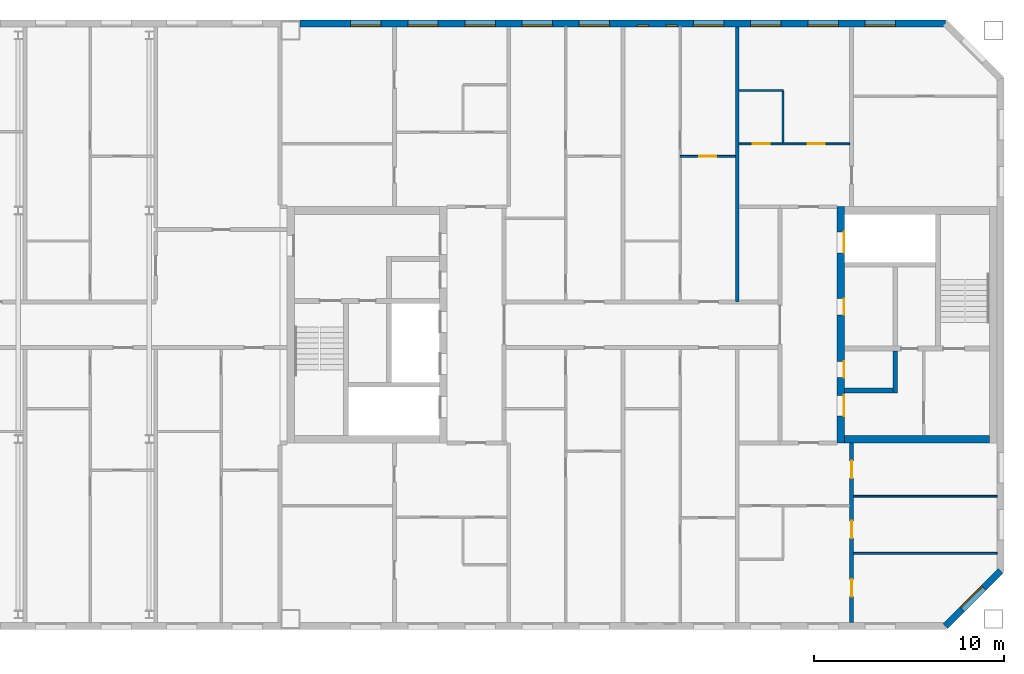
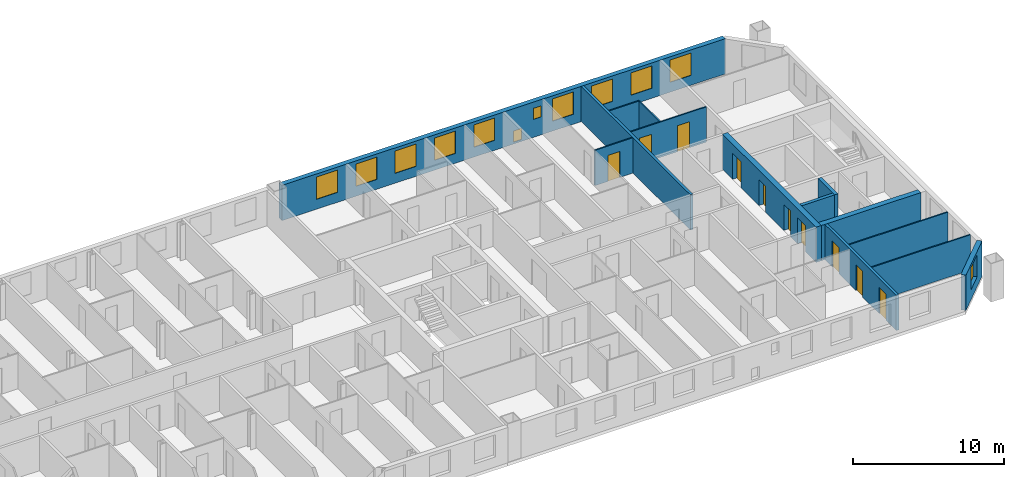
# One storey, part 16 of 19: 14 walls, 12 windows, 10 doors, 22 openings.
"""IFC4 building model written with IfcOpenShell, lengths in metres."""

from ifc_helpers import new_model, si_unit, direction, frame, frame_2d, origin, place, context, subcontext, project, spatial, rectangle, extrude, material, layer, layer_set, type_object, element, fill, save


model = new_model("IFC4")

# Units and contexts
model_context = context("Model", 3, precision=1e-05, world=origin(), true_north=direction((0.0, 1.0)))
body_context = subcontext(model_context, "Body", "Model", "MODEL_VIEW")
ifc_project = project(units=[si_unit("LENGTHUNIT", "METRE"), si_unit("AREAUNIT", "SQUARE_METRE"), si_unit("VOLUMEUNIT", "CUBIC_METRE"), si_unit("PLANEANGLEUNIT", "RADIAN"), si_unit("MASSUNIT", "GRAM", prefix="KILO")], contexts=[model_context])

# Site, building, storey
site_placement = place(None, origin())
site = spatial("IfcSite", under=ifc_project, at=site_placement, CompositionType="ELEMENT")
building_placement = place(site_placement, origin())
building = spatial("IfcBuilding", under=site, at=building_placement, Name="Tuart Gate Housing", CompositionType="ELEMENT")
storey_placement = place(building_placement, frame((0.0, 0.0, 233.800048828125)))
storey = spatial("IfcBuildingStorey", under=building, at=storey_placement, Name="L66", CompositionType="ELEMENT", Elevation=233.800048828125)

# Wall, opening, window
ifc_material_1 = material(Name="Brick", Category="masonry")
ifc_layer_1 = layer(ifc_material_1, 0.360107421875)
ifc_layer_set_1 = layer_set([ifc_layer_1], Name="Brick pier and spandrel wall 360")
wall_type_1 = type_object("IfcWallType", Name="Brick pier and spandrel wall 360", PredefinedType="STANDARD", material=ifc_layer_set_1)
wall_1_placement = place(storey_placement, frame((165.92529296875, 54.179931640625, 0.0), z_axis=(0.0, 0.0, 1.0), x_axis=(0.707106781187, 0.707106781187, 0.0)))
wall_1 = element("IfcWall", 1, at=wall_1_placement, inside=storey, type_object=wall_type_1, Name="External wall BLK-SE L66", PredefinedType="STANDARD", context=body_context, shape_type="SweptSolid", body=[
    extrude(rectangle(XDim=4.09375, YDim=0.360107421875, at=frame_2d((2.046875, 0.0))), origin(), (0.0, 0.0, 1.0), 2.849853515625),
])
opening_1_placement = place(wall_1_placement, frame((1.2470703125, 0.0, 0.800048828125)))
opening_1 = element("IfcOpeningElement", 2, at=opening_1_placement, cuts=wall_1, Name="Opening W1", PredefinedType="OPENING", context=body_context, shape_type="SweptSolid", body=[
    extrude(rectangle(XDim=1.60009765625, YDim=1.800048828125, at=frame_2d((0.800048828125, 0.89990234375))), frame((0.0, 0.18994140625, 0.0), z_axis=(0.0, -1.0, 0.0), x_axis=(1.0, 0.0, 0.0)), (0.0, 0.0, 1.0), 0.380126953125),
])
ifc_material_2 = material(Name="Aluminium frame with clear glass", Category="aluminium")
window_type_1 = type_object("IfcWindowType", Name="Punched window 1600 x 1800", PartitioningType="SINGLE_PANEL", PredefinedType="WINDOW", material=ifc_material_2)
window_1_placement = place(opening_1_placement, origin())
window_1 = element("IfcWindow", 3, at=window_1_placement, inside=storey, type_object=window_type_1, Name="Window W1", OverallHeight=1.800048828125, OverallWidth=1.60009765625, PartitioningType="SINGLE_PANEL", PredefinedType="WINDOW", context=body_context, shape_type="SweptSolid", body=[
    extrude(rectangle(XDim=1.60009765625, YDim=1.800048828125, at=frame_2d((0.800048828125, 0.89990234375))), frame((0.0, 0.150146484375, 0.0), z_axis=(0.0, -1.0, 0.0), x_axis=(1.0, 0.0, 0.0)), (0.0, 0.0, 1.0), 0.06005859375),
])
fill(opening_1, window_1)

# Wall, openings, windows
wall_2_placement = place(storey_placement, frame((165.92529296875, 85.820068359375, 0.0), z_axis=(0.0, 0.0, 1.0), x_axis=(-1.0, 0.0, 0.0)))
wall_2 = element("IfcWall", 4, at=wall_2_placement, inside=storey, type_object=wall_type_1, Name="External wall BLK-N L66", PredefinedType="STANDARD", context=body_context, shape_type="SweptSolid", body=[
    extrude(rectangle(XDim=33.875244140625, YDim=0.360107421875, at=frame_2d((16.9375, 0.0))), origin(), (0.0, 0.0, 1.0), 2.849853515625),
])
opening_2_placement = place(wall_2_placement, frame((2.62548828125, 0.0, 0.800048828125)))
opening_2 = element("IfcOpeningElement", 5, at=opening_2_placement, cuts=wall_2, Name="Opening W1", PredefinedType="OPENING", context=body_context, shape_type="SweptSolid", body=[
    extrude(rectangle(XDim=1.60009765625, YDim=1.800048828125, at=frame_2d((0.800048828125, 0.89990234375))), frame((0.0, 0.18994140625, 0.0), z_axis=(0.0, -1.0, 0.0), x_axis=(1.0, 0.0, 0.0)), (0.0, 0.0, 1.0), 0.380126953125),
])
opening_3_placement = place(wall_2_placement, frame((5.62548828125, 0.0, 0.800048828125)))
opening_3 = element("IfcOpeningElement", 6, at=opening_3_placement, cuts=wall_2, Name="Opening W1", PredefinedType="OPENING", context=body_context, shape_type="SweptSolid", body=[
    extrude(rectangle(XDim=1.60009765625, YDim=1.800048828125, at=frame_2d((0.800048828125, 0.89990234375))), frame((0.0, 0.18994140625, 0.0), z_axis=(0.0, -1.0, 0.0), x_axis=(1.0, 0.0, 0.0)), (0.0, 0.0, 1.0), 0.380126953125),
])
opening_4_placement = place(wall_2_placement, frame((8.62548828125, 0.0, 0.800048828125)))
opening_4 = element("IfcOpeningElement", 7, at=opening_4_placement, cuts=wall_2, Name="Opening W1", PredefinedType="OPENING", context=body_context, shape_type="SweptSolid", body=[
    extrude(rectangle(XDim=1.60009765625, YDim=1.800048828125, at=frame_2d((0.800048828125, 0.89990234375))), frame((0.0, 0.18994140625, 0.0), z_axis=(0.0, -1.0, 0.0), x_axis=(1.0, 0.0, 0.0)), (0.0, 0.0, 1.0), 0.380126953125),
])
opening_5_placement = place(wall_2_placement, frame((11.62548828125, 0.0, 0.800048828125)))
opening_5 = element("IfcOpeningElement", 8, at=opening_5_placement, cuts=wall_2, Name="Opening W1", PredefinedType="OPENING", context=body_context, shape_type="SweptSolid", body=[
    extrude(rectangle(XDim=1.60009765625, YDim=1.800048828125, at=frame_2d((0.800048828125, 0.89990234375))), frame((0.0, 0.18994140625, 0.0), z_axis=(0.0, -1.0, 0.0), x_axis=(1.0, 0.0, 0.0)), (0.0, 0.0, 1.0), 0.380126953125),
])
opening_6_placement = place(wall_2_placement, frame((14.075439453125, 0.0, 1.449951171875)))
opening_6 = element("IfcOpeningElement", 9, at=opening_6_placement, cuts=wall_2, Name="Opening W1W", PredefinedType="OPENING", context=body_context, shape_type="SweptSolid", body=[
    extrude(rectangle(XDim=0.60009765625, YDim=0.89990234375, at=frame_2d((0.300048828125, 0.449951171875))), frame((0.0, 0.18994140625, 0.0), z_axis=(0.0, -1.0, 0.0), x_axis=(1.0, 0.0, 0.0)), (0.0, 0.0, 1.0), 0.380126953125),
])
opening_7_placement = place(wall_2_placement, frame((17.62548828125, 0.0, 0.800048828125)))
opening_7 = element("IfcOpeningElement", 10, at=opening_7_placement, cuts=wall_2, Name="Opening W1", PredefinedType="OPENING", context=body_context, shape_type="SweptSolid", body=[
    extrude(rectangle(XDim=1.60009765625, YDim=1.800048828125, at=frame_2d((0.800048828125, 0.89990234375))), frame((0.0, 0.18994140625, 0.0), z_axis=(0.0, -1.0, 0.0), x_axis=(1.0, 0.0, 0.0)), (0.0, 0.0, 1.0), 0.380126953125),
])
opening_8_placement = place(wall_2_placement, frame((20.62548828125, 0.0, 0.800048828125)))
opening_8 = element("IfcOpeningElement", 11, at=opening_8_placement, cuts=wall_2, Name="Opening W1", PredefinedType="OPENING", context=body_context, shape_type="SweptSolid", body=[
    extrude(rectangle(XDim=1.60009765625, YDim=1.800048828125, at=frame_2d((0.800048828125, 0.89990234375))), frame((0.0, 0.18994140625, 0.0), z_axis=(0.0, -1.0, 0.0), x_axis=(1.0, 0.0, 0.0)), (0.0, 0.0, 1.0), 0.380126953125),
])
opening_9_placement = place(wall_2_placement, frame((23.62548828125, 0.0, 0.800048828125)))
opening_9 = element("IfcOpeningElement", 12, at=opening_9_placement, cuts=wall_2, Name="Opening W1", PredefinedType="OPENING", context=body_context, shape_type="SweptSolid", body=[
    extrude(rectangle(XDim=1.60009765625, YDim=1.800048828125, at=frame_2d((0.800048828125, 0.89990234375))), frame((0.0, 0.18994140625, 0.0), z_axis=(0.0, -1.0, 0.0), x_axis=(1.0, 0.0, 0.0)), (0.0, 0.0, 1.0), 0.380126953125),
])
opening_10_placement = place(wall_2_placement, frame((26.62548828125, 0.0, 0.800048828125)))
opening_10 = element("IfcOpeningElement", 13, at=opening_10_placement, cuts=wall_2, Name="Opening W1", PredefinedType="OPENING", context=body_context, shape_type="SweptSolid", body=[
    extrude(rectangle(XDim=1.60009765625, YDim=1.800048828125, at=frame_2d((0.800048828125, 0.89990234375))), frame((0.0, 0.18994140625, 0.0), z_axis=(0.0, -1.0, 0.0), x_axis=(1.0, 0.0, 0.0)), (0.0, 0.0, 1.0), 0.380126953125),
])
opening_11_placement = place(wall_2_placement, frame((29.62548828125, 0.0, 0.800048828125)))
opening_11 = element("IfcOpeningElement", 14, at=opening_11_placement, cuts=wall_2, Name="Opening W1", PredefinedType="OPENING", context=body_context, shape_type="SweptSolid", body=[
    extrude(rectangle(XDim=1.60009765625, YDim=1.800048828125, at=frame_2d((0.800048828125, 0.89990234375))), frame((0.0, 0.18994140625, 0.0), z_axis=(0.0, -1.0, 0.0), x_axis=(1.0, 0.0, 0.0)), (0.0, 0.0, 1.0), 0.380126953125),
])
opening_12_placement = place(wall_2_placement, frame((15.575439453125, 0.0, 0.14990234375)))
opening_12 = element("IfcOpeningElement", 15, at=opening_12_placement, cuts=wall_2, Name="Opening W1W", PredefinedType="OPENING", context=body_context, shape_type="SweptSolid", body=[
    extrude(rectangle(XDim=0.60009765625, YDim=0.89990234375, at=frame_2d((0.300048828125, 0.449951171875))), frame((0.0, 0.18994140625, 0.0), z_axis=(0.0, -1.0, 0.0), x_axis=(1.0, 0.0, 0.0)), (0.0, 0.0, 1.0), 0.380126953125),
])
window_2_placement = place(opening_2_placement, origin())
window_2 = element("IfcWindow", 16, at=window_2_placement, inside=storey, type_object=window_type_1, Name="Window W1", OverallHeight=1.800048828125, OverallWidth=1.60009765625, PartitioningType="SINGLE_PANEL", PredefinedType="WINDOW", context=body_context, shape_type="SweptSolid", body=[
    extrude(rectangle(XDim=1.60009765625, YDim=1.800048828125, at=frame_2d((0.800048828125, 0.89990234375))), frame((0.0, 0.150146484375, 0.0), z_axis=(0.0, -1.0, 0.0), x_axis=(1.0, 0.0, 0.0)), (0.0, 0.0, 1.0), 0.06005859375),
])
fill(opening_2, window_2)
window_3_placement = place(opening_3_placement, origin())
window_3 = element("IfcWindow", 17, at=window_3_placement, inside=storey, type_object=window_type_1, Name="Window W1", OverallHeight=1.800048828125, OverallWidth=1.60009765625, PartitioningType="SINGLE_PANEL", PredefinedType="WINDOW", context=body_context, shape_type="SweptSolid", body=[
    extrude(rectangle(XDim=1.60009765625, YDim=1.800048828125, at=frame_2d((0.800048828125, 0.89990234375))), frame((0.0, 0.150146484375, 0.0), z_axis=(0.0, -1.0, 0.0), x_axis=(1.0, 0.0, 0.0)), (0.0, 0.0, 1.0), 0.06005859375),
])
fill(opening_3, window_3)
window_4_placement = place(opening_4_placement, origin())
window_4 = element("IfcWindow", 18, at=window_4_placement, inside=storey, type_object=window_type_1, Name="Window W1", OverallHeight=1.800048828125, OverallWidth=1.60009765625, PartitioningType="SINGLE_PANEL", PredefinedType="WINDOW", context=body_context, shape_type="SweptSolid", body=[
    extrude(rectangle(XDim=1.60009765625, YDim=1.800048828125, at=frame_2d((0.800048828125, 0.89990234375))), frame((0.0, 0.150146484375, 0.0), z_axis=(0.0, -1.0, 0.0), x_axis=(1.0, 0.0, 0.0)), (0.0, 0.0, 1.0), 0.06005859375),
])
fill(opening_4, window_4)
window_5_placement = place(opening_5_placement, origin())
window_5 = element("IfcWindow", 19, at=window_5_placement, inside=storey, type_object=window_type_1, Name="Window W1", OverallHeight=1.800048828125, OverallWidth=1.60009765625, PartitioningType="SINGLE_PANEL", PredefinedType="WINDOW", context=body_context, shape_type="SweptSolid", body=[
    extrude(rectangle(XDim=1.60009765625, YDim=1.800048828125, at=frame_2d((0.800048828125, 0.89990234375))), frame((0.0, 0.150146484375, 0.0), z_axis=(0.0, -1.0, 0.0), x_axis=(1.0, 0.0, 0.0)), (0.0, 0.0, 1.0), 0.06005859375),
])
fill(opening_5, window_5)
window_6_placement = place(opening_7_placement, origin())
window_6 = element("IfcWindow", 20, at=window_6_placement, inside=storey, type_object=window_type_1, Name="Window W1", OverallHeight=1.800048828125, OverallWidth=1.60009765625, PartitioningType="SINGLE_PANEL", PredefinedType="WINDOW", context=body_context, shape_type="SweptSolid", body=[
    extrude(rectangle(XDim=1.60009765625, YDim=1.800048828125, at=frame_2d((0.800048828125, 0.89990234375))), frame((0.0, 0.150146484375, 0.0), z_axis=(0.0, -1.0, 0.0), x_axis=(1.0, 0.0, 0.0)), (0.0, 0.0, 1.0), 0.06005859375),
])
fill(opening_7, window_6)
window_7_placement = place(opening_8_placement, origin())
window_7 = element("IfcWindow", 21, at=window_7_placement, inside=storey, type_object=window_type_1, Name="Window W1", OverallHeight=1.800048828125, OverallWidth=1.60009765625, PartitioningType="SINGLE_PANEL", PredefinedType="WINDOW", context=body_context, shape_type="SweptSolid", body=[
    extrude(rectangle(XDim=1.60009765625, YDim=1.800048828125, at=frame_2d((0.800048828125, 0.89990234375))), frame((0.0, 0.150146484375, 0.0), z_axis=(0.0, -1.0, 0.0), x_axis=(1.0, 0.0, 0.0)), (0.0, 0.0, 1.0), 0.06005859375),
])
fill(opening_8, window_7)
window_8_placement = place(opening_9_placement, origin())
window_8 = element("IfcWindow", 22, at=window_8_placement, inside=storey, type_object=window_type_1, Name="Window W1", OverallHeight=1.800048828125, OverallWidth=1.60009765625, PartitioningType="SINGLE_PANEL", PredefinedType="WINDOW", context=body_context, shape_type="SweptSolid", body=[
    extrude(rectangle(XDim=1.60009765625, YDim=1.800048828125, at=frame_2d((0.800048828125, 0.89990234375))), frame((0.0, 0.150146484375, 0.0), z_axis=(0.0, -1.0, 0.0), x_axis=(1.0, 0.0, 0.0)), (0.0, 0.0, 1.0), 0.06005859375),
])
fill(opening_9, window_8)
window_9_placement = place(opening_10_placement, origin())
window_9 = element("IfcWindow", 23, at=window_9_placement, inside=storey, type_object=window_type_1, Name="Window W1", OverallHeight=1.800048828125, OverallWidth=1.60009765625, PartitioningType="SINGLE_PANEL", PredefinedType="WINDOW", context=body_context, shape_type="SweptSolid", body=[
    extrude(rectangle(XDim=1.60009765625, YDim=1.800048828125, at=frame_2d((0.800048828125, 0.89990234375))), frame((0.0, 0.150146484375, 0.0), z_axis=(0.0, -1.0, 0.0), x_axis=(1.0, 0.0, 0.0)), (0.0, 0.0, 1.0), 0.06005859375),
])
fill(opening_10, window_9)
window_10_placement = place(opening_11_placement, origin())
window_10 = element("IfcWindow", 24, at=window_10_placement, inside=storey, type_object=window_type_1, Name="Window W1", OverallHeight=1.800048828125, OverallWidth=1.60009765625, PartitioningType="SINGLE_PANEL", PredefinedType="WINDOW", context=body_context, shape_type="SweptSolid", body=[
    extrude(rectangle(XDim=1.60009765625, YDim=1.800048828125, at=frame_2d((0.800048828125, 0.89990234375))), frame((0.0, 0.150146484375, 0.0), z_axis=(0.0, -1.0, 0.0), x_axis=(1.0, 0.0, 0.0)), (0.0, 0.0, 1.0), 0.06005859375),
])
fill(opening_11, window_10)
ifc_material_3 = material(Name="Aluminium frame with clear glass", Category="aluminium")
window_type_2 = type_object("IfcWindowType", Name="Punched window 600 x 900", PartitioningType="SINGLE_PANEL", PredefinedType="WINDOW", material=ifc_material_3)
window_11_placement = place(opening_6_placement, origin())
window_11 = element("IfcWindow", 25, at=window_11_placement, inside=storey, type_object=window_type_2, Name="Window W1W", OverallHeight=0.89990234375, OverallWidth=0.60009765625, PartitioningType="SINGLE_PANEL", PredefinedType="WINDOW", context=body_context, shape_type="SweptSolid", body=[
    extrude(rectangle(XDim=0.60009765625, YDim=0.89990234375, at=frame_2d((0.300048828125, 0.449951171875))), frame((0.0, 0.150146484375, 0.0), z_axis=(0.0, -1.0, 0.0), x_axis=(1.0, 0.0, 0.0)), (0.0, 0.0, 1.0), 0.06005859375),
])
fill(opening_6, window_11)
window_12_placement = place(opening_12_placement, origin())
window_12 = element("IfcWindow", 26, at=window_12_placement, inside=storey, type_object=window_type_2, Name="Window W1W", OverallHeight=0.89990234375, OverallWidth=0.60009765625, PartitioningType="SINGLE_PANEL", PredefinedType="WINDOW", context=body_context, shape_type="SweptSolid", body=[
    extrude(rectangle(XDim=0.60009765625, YDim=0.89990234375, at=frame_2d((0.300048828125, 0.449951171875))), frame((0.0, 0.150146484375, 0.0), z_axis=(0.0, -1.0, 0.0), x_axis=(1.0, 0.0, 0.0)), (0.0, 0.0, 1.0), 0.06005859375),
])
fill(opening_12, window_12)

# Walls
ifc_material_4 = material(Name="Concrete C40", Category="concrete")
ifc_layer_2 = layer(ifc_material_4, 0.25)
ifc_layer_set_2 = layer_set([ifc_layer_2], Name="Core wall 250 C40")
wall_type_2 = type_object("IfcWallType", Name="Core wall 250 C40", PredefinedType="SHEAR", material=ifc_layer_set_2)
wall_3_placement = place(storey_placement, frame((160.639892578125, 66.550048828125, 0.0), z_axis=(0.0, 0.0, 1.0), x_axis=(1.0, 0.0, 0.0)))
element("IfcWall", 27, at=wall_3_placement, inside=storey, type_object=wall_type_2, Name="Core wall BK.3", PredefinedType="SHEAR", context=body_context, shape_type="SweptSolid", body=[
    extrude(rectangle(XDim=2.525146484375, YDim=0.25, at=frame_2d((1.2626953125, 0.0))), origin(), (0.0, 0.0, 1.0), 2.849853515625),
])
wall_4_placement = place(storey_placement, frame((163.2900390625, 68.625, 0.0), z_axis=(0.0, 0.0, 1.0), x_axis=(0.0, -1.0, 0.0)))
element("IfcWall", 28, at=wall_4_placement, inside=storey, type_object=wall_type_2, Name="Core wall BK.5", PredefinedType="SHEAR", context=body_context, shape_type="SweptSolid", body=[
    extrude(rectangle(XDim=2.199951171875, YDim=0.25, at=frame_2d((1.10009765625, 0.0))), origin(), (0.0, 0.0, 1.0), 2.849853515625),
])

# Wall, openings, doors
ifc_material_5 = material(Name="Concrete C40", Category="concrete")
ifc_layer_3 = layer(ifc_material_5, 0.39990234375)
ifc_layer_set_3 = layer_set([ifc_layer_3], Name="Core wall 400 C40")
wall_type_3 = type_object("IfcWallType", Name="Core wall 400 C40", PredefinedType="SHEAR", material=ifc_layer_set_3)
wall_5_placement = place(storey_placement, frame((160.43994140625, 76.199951171875, 0.0), z_axis=(0.0, 0.0, 1.0), x_axis=(0.0, -1.0, 0.0)))
wall_5 = element("IfcWall", 29, at=wall_5_placement, inside=storey, type_object=wall_type_3, Name="Core wall BK front", PredefinedType="SHEAR", context=body_context, shape_type="SweptSolid", body=[
    extrude(rectangle(XDim=12.39990234375, YDim=0.39990234375, at=frame_2d((6.199951171875, 0.0))), origin(), (0.0, 0.0, 1.0), 2.849853515625),
])
opening_13_placement = place(wall_5_placement, frame((1.324951171875, 0.0, 0.0)))
opening_13 = element("IfcOpeningElement", 30, at=opening_13_placement, cuts=wall_5, Name="Opening LD-FB2", PredefinedType="OPENING", context=body_context, shape_type="SweptSolid", body=[
    extrude(rectangle(XDim=1.10009765625, YDim=2.10009765625, at=frame_2d((0.550048828125, 1.050048828125))), frame((0.0, 0.2099609375, 0.0), z_axis=(0.0, -1.0, 0.0), x_axis=(1.0, 0.0, 0.0)), (0.0, 0.0, 1.0), 0.419921875),
])
opening_14_placement = place(wall_5_placement, frame((4.824951171875, 0.0, 0.0)))
opening_14 = element("IfcOpeningElement", 31, at=opening_14_placement, cuts=wall_5, Name="Opening D2583", PredefinedType="OPENING", context=body_context, shape_type="SweptSolid", body=[
    extrude(rectangle(XDim=0.85009765625, YDim=2.10009765625, at=frame_2d((0.425048828125, 1.050048828125))), frame((0.0, 0.2099609375, 0.0), z_axis=(0.0, -1.0, 0.0), x_axis=(1.0, 0.0, 0.0)), (0.0, 0.0, 1.0), 0.419921875),
])
opening_15_placement = place(wall_5_placement, frame((9.89990234375, 0.0, 0.0)))
opening_15 = element("IfcOpeningElement", 32, at=opening_15_placement, cuts=wall_5, Name="Opening D2582", PredefinedType="OPENING", context=body_context, shape_type="SweptSolid", body=[
    extrude(rectangle(XDim=1.10009765625, YDim=2.10009765625, at=frame_2d((0.550048828125, 1.050048828125))), frame((0.0, 0.2099609375, 0.0), z_axis=(0.0, -1.0, 0.0), x_axis=(1.0, 0.0, 0.0)), (0.0, 0.0, 1.0), 0.419921875),
])
opening_16_placement = place(wall_5_placement, frame((8.125, 0.0, 0.0)))
opening_16 = element("IfcOpeningElement", 33, at=opening_16_placement, cuts=wall_5, Name="Opening D2584", PredefinedType="OPENING", context=body_context, shape_type="SweptSolid", body=[
    extrude(rectangle(XDim=0.85009765625, YDim=2.10009765625, at=frame_2d((0.425048828125, 1.050048828125))), frame((0.0, 0.2099609375, 0.0), z_axis=(0.0, -1.0, 0.0), x_axis=(1.0, 0.0, 0.0)), (0.0, 0.0, 1.0), 0.419921875),
])
ifc_material_6 = material(Name="Stainless steel", Category="steel")
door_type_1 = type_object("IfcDoorType", Name="Landing door 1100 x 2100", OperationType="DOUBLE_DOOR_SLIDING", PredefinedType="DOOR", material=ifc_material_6)
door_1_placement = place(opening_13_placement, origin())
door_1 = element("IfcDoor", 34, at=door_1_placement, inside=storey, type_object=door_type_1, Name="Lift landing door FB2", OperationType="DOUBLE_DOOR_SLIDING", OverallHeight=2.10009765625, OverallWidth=1.10009765625, PredefinedType="DOOR", context=body_context, shape_type="SweptSolid", body=[
    extrude(rectangle(XDim=1.10009765625, YDim=2.10009765625, at=frame_2d((0.550048828125, 1.050048828125))), frame((0.0, 0.18505859375, 0.0), z_axis=(0.0, -1.0, 0.0), x_axis=(1.0, 0.0, 0.0)), (0.0, 0.0, 1.0), 0.050048828125),
])
fill(opening_13, door_1)
ifc_material_7 = material(Name="Steel fire door", Category="steel")
door_type_2 = type_object("IfcDoorType", Name="Lobby door 1100 x 2100", OperationType="SINGLE_SWING_LEFT", PredefinedType="DOOR", material=ifc_material_7)
door_2_placement = place(opening_15_placement, origin())
door_2 = element("IfcDoor", 35, at=door_2_placement, inside=storey, type_object=door_type_2, Name="Lobby entry door BK.EN", OperationType="SINGLE_SWING_LEFT", OverallHeight=2.10009765625, OverallWidth=1.10009765625, PredefinedType="DOOR", context=body_context, shape_type="SweptSolid", body=[
    extrude(rectangle(XDim=1.10009765625, YDim=2.10009765625, at=frame_2d((0.550048828125, 1.050048828125))), frame((0.0, 0.18505859375, 0.0), z_axis=(0.0, -1.0, 0.0), x_axis=(1.0, 0.0, 0.0)), (0.0, 0.0, 1.0), 0.050048828125),
])
fill(opening_15, door_2)
ifc_material_8 = material(Name="Steel fire door", Category="steel")
door_type_3 = type_object("IfcDoorType", Name="Service door 850 x 2100", OperationType="SINGLE_SWING_LEFT", PredefinedType="DOOR", material=ifc_material_8)
door_3_placement = place(opening_14_placement, origin())
door_3 = element("IfcDoor", 36, at=door_3_placement, inside=storey, type_object=door_type_3, Name="Service room door BK.FR1", OperationType="SINGLE_SWING_LEFT", OverallHeight=2.10009765625, OverallWidth=0.85009765625, PredefinedType="DOOR", context=body_context, shape_type="SweptSolid", body=[
    extrude(rectangle(XDim=0.85009765625, YDim=2.10009765625, at=frame_2d((0.425048828125, 1.050048828125))), frame((0.0, 0.18505859375, 0.0), z_axis=(0.0, -1.0, 0.0), x_axis=(1.0, 0.0, 0.0)), (0.0, 0.0, 1.0), 0.050048828125),
])
fill(opening_14, door_3)
door_4_placement = place(opening_16_placement, origin())
door_4 = element("IfcDoor", 37, at=door_4_placement, inside=storey, type_object=door_type_3, Name="Service room door BK.T1", OperationType="SINGLE_SWING_LEFT", OverallHeight=2.10009765625, OverallWidth=0.85009765625, PredefinedType="DOOR", context=body_context, shape_type="SweptSolid", body=[
    extrude(rectangle(XDim=0.85009765625, YDim=2.10009765625, at=frame_2d((0.425048828125, 1.050048828125))), frame((0.0, 0.18505859375, 0.0), z_axis=(0.0, -1.0, 0.0), x_axis=(1.0, 0.0, 0.0)), (0.0, 0.0, 1.0), 0.050048828125),
])
fill(opening_16, door_4)

# Walls
wall_6_placement = place(storey_placement, frame((160.639892578125, 64.0, 0.0), z_axis=(0.0, 0.0, 1.0), x_axis=(1.0, 0.0, 0.0)))
element("IfcWall", 38, at=wall_6_placement, inside=storey, type_object=wall_type_3, Name="Core wall BK north", PredefinedType="SHEAR", context=body_context, shape_type="SweptSolid", body=[
    extrude(rectangle(XDim=7.60009765625, YDim=0.39990234375, at=frame_2d((3.800048828125, 0.0))), origin(), (0.0, 0.0, 1.0), 2.849853515625),
])
ifc_material_9 = material(Name="Gypsum board on steel studs", Category="steel")
ifc_layer_4 = layer(ifc_material_9, 0.10009765625)
ifc_layer_set_4 = layer_set([ifc_layer_4], Name="Partition 100")
wall_type_4 = type_object("IfcWallType", Name="Partition 100", PredefinedType="PARTITIONING", material=ifc_layer_set_4)
for number, where, z_axis, x_axis, name in (
    (39, (161.10009765625, 58.0, 0.0), (0.0, 0.0, 1.0), (1.0, 0.0, 0.0), "Partition 100"),
    (40, (161.10009765625, 61.0, 0.0), (0.0, 0.0, 1.0), (1.0, 0.0, 0.0), "Partition 100"),
):
    element("IfcWall", number, at=place(storey_placement, frame(where, z_axis=z_axis, x_axis=x_axis)), inside=storey, type_object=wall_type_4, Name=name, PredefinedType="PARTITIONING", context=body_context, shape_type="SweptSolid", body=[
        extrude(rectangle(XDim=7.539794921875, YDim=0.10009765625, at=frame_2d((3.77001953125, 0.0))), origin(), (0.0, 0.0, 1.0), 2.849853515625),
    ])

# Wall, opening, door
wall_7_placement = place(storey_placement, frame((152.0, 78.840087890625, 0.0), z_axis=(0.0, 0.0, 1.0), x_axis=(1.0, 0.0, 0.0)))
wall_7 = element("IfcWall", 41, at=wall_7_placement, inside=storey, type_object=wall_type_4, Name="Partition 100", PredefinedType="PARTITIONING", context=body_context, shape_type="SweptSolid", body=[
    extrude(rectangle(XDim=2.89990234375, YDim=0.10009765625, at=frame_2d((1.449951171875, 0.0))), origin(), (0.0, 0.0, 1.0), 2.849853515625),
])
opening_17_placement = place(wall_7_placement, frame((1.0, 0.0, 0.0)))
opening_17 = element("IfcOpeningElement", 42, at=opening_17_placement, cuts=wall_7, Name="Opening D2566", PredefinedType="OPENING", context=body_context, shape_type="SweptSolid", body=[
    extrude(rectangle(XDim=0.89990234375, YDim=2.10009765625, at=frame_2d((0.449951171875, 1.050048828125))), frame((0.0, 0.06005859375, 0.0), z_axis=(0.0, -1.0, 0.0), x_axis=(1.0, 0.0, 0.0)), (0.0, 0.0, 1.0), 0.1201171875),
])
ifc_material_10 = material(Name="Timber door leaf in steel frame", Category="steel")
door_type_4 = type_object("IfcDoorType", Name="Internal door 900 RH", OperationType="SINGLE_SWING_RIGHT", PredefinedType="DOOR", material=ifc_material_10)
door_5_placement = place(opening_17_placement, frame((0.89990234375, 0.0, 0.0), z_axis=(0.0, 0.0, 1.0), x_axis=(-1.0, 0.0, 0.0)))
door_5 = element("IfcDoor", 43, at=door_5_placement, inside=storey, type_object=door_type_4, Name="Internal door", OperationType="SINGLE_SWING_RIGHT", OverallHeight=2.10009765625, OverallWidth=0.89990234375, PredefinedType="DOOR", context=body_context, shape_type="SweptSolid", body=[
    extrude(rectangle(XDim=0.89990234375, YDim=2.10009765625, at=frame_2d((0.449951171875, 1.050048828125))), frame((0.0, 0.025146484375, 0.0), z_axis=(0.0, -1.0, 0.0), x_axis=(1.0, 0.0, 0.0)), (0.0, 0.0, 1.0), 0.050048828125),
])
fill(opening_17, door_5)

# Wall, openings, doors
wall_8_placement = place(storey_placement, frame((155.10009765625, 79.5, 0.0), z_axis=(0.0, 0.0, 1.0), x_axis=(1.0, 0.0, 0.0)))
wall_8 = element("IfcWall", 44, at=wall_8_placement, inside=storey, type_object=wall_type_4, Name="Partition 100", PredefinedType="PARTITIONING", context=body_context, shape_type="SweptSolid", body=[
    extrude(rectangle(XDim=5.7998046875, YDim=0.10009765625, at=frame_2d((2.89990234375, 0.0))), origin(), (0.0, 0.0, 1.0), 2.849853515625),
])
opening_18_placement = place(wall_8_placement, frame((3.60009765625, 0.0, 0.0)))
opening_18 = element("IfcOpeningElement", 45, at=opening_18_placement, cuts=wall_8, Name="Opening D2564", PredefinedType="OPENING", context=body_context, shape_type="SweptSolid", body=[
    extrude(rectangle(XDim=0.89990234375, YDim=2.10009765625, at=frame_2d((0.449951171875, 1.050048828125))), frame((0.0, 0.06005859375, 0.0), z_axis=(0.0, -1.0, 0.0), x_axis=(1.0, 0.0, 0.0)), (0.0, 0.0, 1.0), 0.1201171875),
])
opening_19_placement = place(wall_8_placement, frame((0.699951171875, 0.0, 0.0)))
opening_19 = element("IfcOpeningElement", 46, at=opening_19_placement, cuts=wall_8, Name="Opening D2563", PredefinedType="OPENING", context=body_context, shape_type="SweptSolid", body=[
    extrude(rectangle(XDim=0.89990234375, YDim=2.10009765625, at=frame_2d((0.449951171875, 1.050048828125))), frame((0.0, 0.06005859375, 0.0), z_axis=(0.0, -1.0, 0.0), x_axis=(1.0, 0.0, 0.0)), (0.0, 0.0, 1.0), 0.1201171875),
])
ifc_material_11 = material(Name="Timber door leaf in steel frame", Category="steel")
door_type_5 = type_object("IfcDoorType", Name="Bathroom door 900 RH", OperationType="SINGLE_SWING_RIGHT", PredefinedType="DOOR", material=ifc_material_11)
door_6_placement = place(opening_19_placement, origin())
door_6 = element("IfcDoor", 47, at=door_6_placement, inside=storey, type_object=door_type_5, Name="Bathroom door", OperationType="SINGLE_SWING_RIGHT", OverallHeight=2.10009765625, OverallWidth=0.89990234375, PredefinedType="DOOR", context=body_context, shape_type="SweptSolid", body=[
    extrude(rectangle(XDim=0.89990234375, YDim=2.10009765625, at=frame_2d((0.449951171875, 1.050048828125))), frame((0.0, 0.02490234375, 0.0), z_axis=(0.0, -1.0, 0.0), x_axis=(1.0, 0.0, 0.0)), (0.0, 0.0, 1.0), 0.050048828125),
])
fill(opening_19, door_6)
ifc_material_12 = material(Name="Timber door leaf in steel frame", Category="steel")
door_type_6 = type_object("IfcDoorType", Name="Internal door 900", OperationType="SINGLE_SWING_LEFT", PredefinedType="DOOR", material=ifc_material_12)
door_7_placement = place(opening_18_placement, origin())
door_7 = element("IfcDoor", 48, at=door_7_placement, inside=storey, type_object=door_type_6, Name="Internal door", OperationType="SINGLE_SWING_LEFT", OverallHeight=2.10009765625, OverallWidth=0.89990234375, PredefinedType="DOOR", context=body_context, shape_type="SweptSolid", body=[
    extrude(rectangle(XDim=0.89990234375, YDim=2.10009765625, at=frame_2d((0.449951171875, 1.050048828125))), frame((0.0, 0.02490234375, 0.0), z_axis=(0.0, -1.0, 0.0), x_axis=(1.0, 0.0, 0.0)), (0.0, 0.0, 1.0), 0.050048828125),
])
fill(opening_18, door_7)

# Walls
wall_9_placement = place(storey_placement, frame((155.10009765625, 82.300048828125, 0.0), z_axis=(0.0, 0.0, 1.0), x_axis=(1.0, 0.0, 0.0)))
element("IfcWall", 49, at=wall_9_placement, inside=storey, type_object=wall_type_4, Name="Partition 100", PredefinedType="PARTITIONING", context=body_context, shape_type="SweptSolid", body=[
    extrude(rectangle(XDim=2.2998046875, YDim=0.10009765625, at=frame_2d((1.14990234375, 0.0))), origin(), (0.0, 0.0, 1.0), 2.849853515625),
])
wall_10_placement = place(storey_placement, frame((157.39990234375, 79.550048828125, 0.0), z_axis=(0.0, 0.0, 1.0), x_axis=(0.0, 1.0, 0.0)))
element("IfcWall", 50, at=wall_10_placement, inside=storey, type_object=wall_type_4, Name="Partition 100", PredefinedType="PARTITIONING", context=body_context, shape_type="SweptSolid", body=[
    extrude(rectangle(XDim=2.699951171875, YDim=0.10009765625, at=frame_2d((1.35009765625, 0.0))), origin(), (0.0, 0.0, 1.0), 2.849853515625),
])
ifc_material_13 = material(Name="Concrete C40", Category="concrete")
ifc_layer_5 = layer(ifc_material_13, 0.199951171875)
ifc_layer_set_5 = layer_set([ifc_layer_5], Name="Party wall concrete C40 200")
wall_type_5 = type_object("IfcWallType", Name="Party wall concrete C40 200", PredefinedType="SOLIDWALL", material=ifc_layer_set_5)
wall_11_placement = place(storey_placement, frame((155.0, 71.199951171875, 0.0), z_axis=(0.0, 0.0, 1.0), x_axis=(0.0, 1.0, 0.0)))
element("IfcWall", 51, at=wall_11_placement, inside=storey, type_object=wall_type_5, Name="Party wall concrete C40 200", PredefinedType="SOLIDWALL", context=body_context, shape_type="SweptSolid", body=[
    extrude(rectangle(XDim=14.43994140625, YDim=0.199951171875, at=frame_2d((7.219970703125, 0.0))), origin(), (0.0, 0.0, 1.0), 2.849853515625),
])

# Wall, openings, doors
wall_12_placement = place(storey_placement, frame((161.0, 54.360107421875, 0.0), z_axis=(0.0, 0.0, 1.0), x_axis=(0.0, 1.0, 0.0)))
wall_12 = element("IfcWall", 52, at=wall_12_placement, inside=storey, type_object=wall_type_5, Name="Party wall concrete C40 200", PredefinedType="SOLIDWALL", context=body_context, shape_type="SweptSolid", body=[
    extrude(rectangle(XDim=9.43994140625, YDim=0.199951171875, at=frame_2d((4.719970703125, 0.0))), origin(), (0.0, 0.0, 1.0), 2.849853515625),
])
opening_20_placement = place(wall_12_placement, frame((1.3701171875, 0.0, 0.0)))
opening_20 = element("IfcOpeningElement", 53, at=opening_20_placement, cuts=wall_12, Name="Opening D2604", PredefinedType="OPENING", context=body_context, shape_type="SweptSolid", body=[
    extrude(rectangle(XDim=0.89990234375, YDim=2.10009765625, at=frame_2d((0.449951171875, 1.050048828125))), frame((0.0, 0.10986328125, 0.0), z_axis=(0.0, -1.0, 0.0), x_axis=(1.0, 0.0, 0.0)), (0.0, 0.0, 1.0), 0.219970703125),
])
opening_21_placement = place(wall_12_placement, frame((4.43994140625, 0.0, 0.0)))
opening_21 = element("IfcOpeningElement", 54, at=opening_21_placement, cuts=wall_12, Name="Opening D2605", PredefinedType="OPENING", context=body_context, shape_type="SweptSolid", body=[
    extrude(rectangle(XDim=0.89990234375, YDim=2.10009765625, at=frame_2d((0.449951171875, 1.050048828125))), frame((0.0, 0.10986328125, 0.0), z_axis=(0.0, -1.0, 0.0), x_axis=(1.0, 0.0, 0.0)), (0.0, 0.0, 1.0), 0.219970703125),
])
opening_22_placement = place(wall_12_placement, frame((7.590087890625, 0.0, 0.0)))
opening_22 = element("IfcOpeningElement", 55, at=opening_22_placement, cuts=wall_12, Name="Opening D2606", PredefinedType="OPENING", context=body_context, shape_type="SweptSolid", body=[
    extrude(rectangle(XDim=0.89990234375, YDim=2.10009765625, at=frame_2d((0.449951171875, 1.050048828125))), frame((0.0, 0.10986328125, 0.0), z_axis=(0.0, -1.0, 0.0), x_axis=(1.0, 0.0, 0.0)), (0.0, 0.0, 1.0), 0.219970703125),
])
door_8_placement = place(opening_20_placement, frame((0.89990234375, 0.0, 0.0), z_axis=(0.0, 0.0, 1.0), x_axis=(-1.0, 0.0, 0.0)))
door_8 = element("IfcDoor", 56, at=door_8_placement, inside=storey, type_object=door_type_4, Name="Internal door", OperationType="SINGLE_SWING_RIGHT", OverallHeight=2.10009765625, OverallWidth=0.89990234375, PredefinedType="DOOR", context=body_context, shape_type="SweptSolid", body=[
    extrude(rectangle(XDim=0.89990234375, YDim=2.10009765625, at=frame_2d((0.449951171875, 1.050048828125))), frame((0.0, 0.025146484375, 0.0), z_axis=(0.0, -1.0, 0.0), x_axis=(1.0, 0.0, 0.0)), (0.0, 0.0, 1.0), 0.050048828125),
])
fill(opening_20, door_8)
door_9_placement = place(opening_21_placement, frame((0.89990234375, 0.0, 0.0), z_axis=(0.0, 0.0, 1.0), x_axis=(-1.0, 0.0, 0.0)))
door_9 = element("IfcDoor", 57, at=door_9_placement, inside=storey, type_object=door_type_4, Name="Internal door", OperationType="SINGLE_SWING_RIGHT", OverallHeight=2.10009765625, OverallWidth=0.89990234375, PredefinedType="DOOR", context=body_context, shape_type="SweptSolid", body=[
    extrude(rectangle(XDim=0.89990234375, YDim=2.10009765625, at=frame_2d((0.449951171875, 1.050048828125))), frame((0.0, 0.025146484375, 0.0), z_axis=(0.0, -1.0, 0.0), x_axis=(1.0, 0.0, 0.0)), (0.0, 0.0, 1.0), 0.050048828125),
])
fill(opening_21, door_9)
door_10_placement = place(opening_22_placement, frame((0.89990234375, 0.0, 0.0), z_axis=(0.0, 0.0, 1.0), x_axis=(-1.0, 0.0, 0.0)))
door_10 = element("IfcDoor", 58, at=door_10_placement, inside=storey, type_object=door_type_4, Name="Internal door", OperationType="SINGLE_SWING_RIGHT", OverallHeight=2.10009765625, OverallWidth=0.89990234375, PredefinedType="DOOR", context=body_context, shape_type="SweptSolid", body=[
    extrude(rectangle(XDim=0.89990234375, YDim=2.10009765625, at=frame_2d((0.449951171875, 1.050048828125))), frame((0.0, 0.025146484375, 0.0), z_axis=(0.0, -1.0, 0.0), x_axis=(1.0, 0.0, 0.0)), (0.0, 0.0, 1.0), 0.050048828125),
])
fill(opening_22, door_10)

save(model, "model.ifc")
